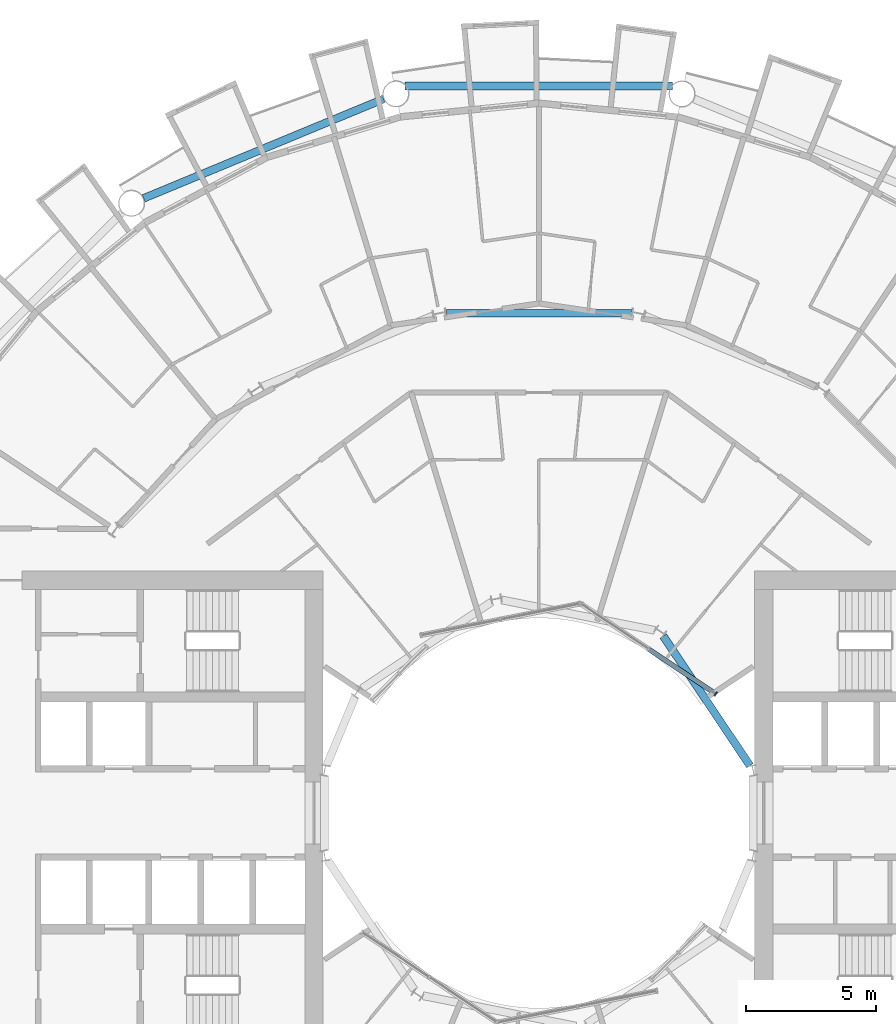
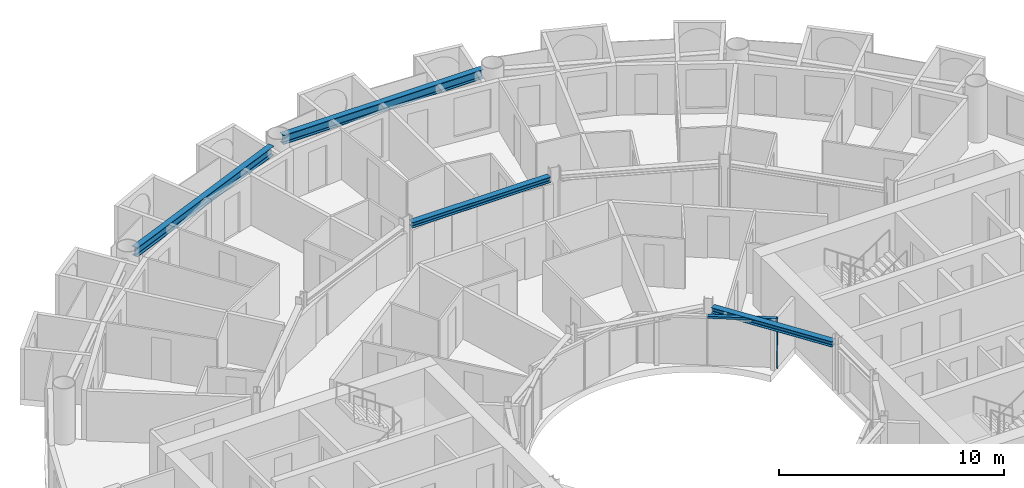
# One storey, part 8 of 26: 4 beams, 2 members, 1 element without a shape of its own.
"""IFC4 building model written with IfcOpenShell, lengths in metres."""

from ifc_helpers import new_model, si_unit, direction, frame, origin, origin_2d, place, context, subcontext, project, spatial, rectangle, i_section, extrude, material, layer, layer_set, material_profile, profile_set, type_object, element, aggregate, save


model = new_model("IFC4")

# Units and contexts
model_context = context("Model", 3, precision=1e-05, world=origin(), true_north=direction((0.0, 1.0)))
body_context = subcontext(model_context, "Body", "Model", "MODEL_VIEW")
ifc_project = project(units=[si_unit("LENGTHUNIT", "METRE"), si_unit("AREAUNIT", "SQUARE_METRE"), si_unit("VOLUMEUNIT", "CUBIC_METRE"), si_unit("PLANEANGLEUNIT", "RADIAN"), si_unit("MASSUNIT", "GRAM", prefix="KILO")], contexts=[model_context])

# Site, building, storey
site_placement = place(None, origin())
site = spatial("IfcSite", under=ifc_project, at=site_placement, CompositionType="ELEMENT")
building_placement = place(site_placement, origin())
building = spatial("IfcBuilding", under=site, at=building_placement, Name="Maasbend Ring Residences", CompositionType="ELEMENT")
storey_placement = place(building_placement, frame((0.0, 0.0, 75.800048828125)))
storey = spatial("IfcBuildingStorey", under=building, at=storey_placement, Name="L21", CompositionType="ELEMENT", Elevation=75.800048828125)

# Curtain wall, members
ifc_material_1 = material(Name="Aluminium and clear glass", Category="aluminium")
ifc_layer = layer(ifc_material_1, 0.179931640625)
ifc_layer_set = layer_set([ifc_layer], Name="CW-W")
curtain_wall_type = type_object("IfcCurtainWallType", Name="CW-W", PredefinedType="NOTDEFINED", material=ifc_layer_set)
curtain_wall_placement = place(storey_placement, origin())
curtain_wall = element("IfcCurtainWall", 1, at=curtain_wall_placement, inside=storey, type_object=curtain_wall_type, Name="Well curtain wall N1", PredefinedType="NOTDEFINED")
ifc_material_2 = material(Name="Aluminium 6063-T6", Category="aluminium")
ifc_material_profile_1 = material_profile(ifc_material_2, rectangle(XDim=0.179931640625, YDim=0.06005859375, at=origin_2d()), Name="AL 180x60")
ifc_profile_set_1 = profile_set([ifc_material_profile_1], Name="Aluminium 6063-T6")
member_type_1 = type_object("IfcMemberType", Name="CWM-W", PredefinedType="MULLION", material=ifc_profile_set_1)
member_1_placement = place(storey_placement, frame((6.805908203125, 4.580810546875, 0.0), z_axis=(0.0, 0.0, 1.0), x_axis=(-0.55557023302, -0.831469612303, 0.0)))
member_1 = element("IfcMember", 2, at=member_1_placement, type_object=member_type_1, Name="Mullion well face", PredefinedType="MULLION", context=body_context, shape_type="SweptSolid", body=[
    extrude(rectangle(XDim=0.179931640625, YDim=0.06005859375, at=origin_2d()), origin(), (0.0, 0.0, 1.0), 2.699951171875),
])
ifc_material_3 = material(Name="Aluminium 6063-T6", Category="aluminium")
ifc_material_profile_2 = material_profile(ifc_material_3, rectangle(XDim=0.179931640625, YDim=0.1201171875, at=origin_2d()), Name="AL 180x120")
ifc_profile_set_2 = profile_set([ifc_material_profile_2], Name="Aluminium 6063-T6")
member_type_2 = type_object("IfcMemberType", Name="CWT-W", PredefinedType="USERDEFINED", material=ifc_profile_set_2)
member_2_placement = place(storey_placement, frame((6.781005859375, 4.59765625, 2.639892578125), z_axis=(-0.831496422459, 0.555530106689, 0.0), x_axis=(-0.555530106689, -0.831496422459, 0.0)))
member_2 = element("IfcMember", 3, at=member_2_placement, type_object=member_type_2, Name="Transom well face", ObjectType="TRANSOM", PredefinedType="USERDEFINED", context=body_context, shape_type="SweptSolid", body=[
    extrude(rectangle(XDim=0.179931640625, YDim=0.1201171875, at=origin_2d()), origin(), (0.0, 0.0, 1.0), 3.053955078125),
])
aggregate(curtain_wall, [member_1, member_2])

# Beams
ifc_material_4 = material(Name="Steel S355J2", Category="steel")
ifc_material_profile_3 = material_profile(ifc_material_4, i_section(OverallWidth=0.300048828125, OverallDepth=0.300048828125, WebThickness=0.010986328125, FlangeThickness=0.01904296875, FilletRadius=0.027099609375, at=origin_2d()), Name="HEB 300")
ifc_profile_set_3 = profile_set([ifc_material_profile_3], Name="Steel S355J2")
beam_type_1 = type_object("IfcBeamType", Name="Corridor ring beam HEB 300", PredefinedType="BEAM", material=ifc_profile_set_3)
beam_1_placement = place(storey_placement, frame((3.556640625, 19.223388671875, 2.550048828125), z_axis=(-1.0, 0.0, 0.0), x_axis=(0.0, -1.0, 0.0)))
element("IfcBeam", 4, at=beam_1_placement, inside=storey, type_object=beam_type_1, Name="Corridor ring beam", PredefinedType="BEAM", context=body_context, shape_type="SweptSolid", body=[
    extrude(i_section(OverallWidth=0.300048828125, OverallDepth=0.300048828125, WebThickness=0.010986328125, FlangeThickness=0.01904296875, FilletRadius=0.027099609375, at=origin_2d()), origin(), (0.0, 0.0, 1.0), 7.11328125),
])
ifc_material_5 = material(Name="Steel S355J2", Category="steel")
ifc_material_profile_4 = material_profile(ifc_material_5, i_section(OverallWidth=0.300048828125, OverallDepth=0.5, WebThickness=0.014404296875, FlangeThickness=0.028076171875, FilletRadius=0.027099609375, at=origin_2d()), Name="HEB 500")
ifc_profile_set_4 = profile_set([ifc_material_profile_4], Name="Steel S355J2")
beam_type_2 = type_object("IfcBeamType", Name="Spandrel ring beam HEB 500", PredefinedType="SPANDREL", material=ifc_profile_set_4)
beam_2_placement = place(storey_placement, frame((5.1435546875, 27.9580078125, 2.449951171875), z_axis=(-1.0, 0.0, 0.0), x_axis=(0.0, -1.0, 0.0)))
element("IfcBeam", 5, at=beam_2_placement, inside=storey, type_object=beam_type_2, Name="Spandrel ring beam", PredefinedType="SPANDREL", context=body_context, shape_type="SweptSolid", body=[
    extrude(i_section(OverallWidth=0.300048828125, OverallDepth=0.5, WebThickness=0.014404296875, FlangeThickness=0.028076171875, FilletRadius=0.027099609375, at=origin_2d()), origin(), (0.0, 0.0, 1.0), 10.287109375),
])
beam_3_placement = place(storey_placement, frame((-5.970703125, 27.463623046875, 2.449951171875), z_axis=(-0.923886337442, -0.382667003395, 0.0), x_axis=(0.382667003395, -0.923886337442, 0.0)))
element("IfcBeam", 6, at=beam_3_placement, inside=storey, type_object=beam_type_2, Name="Spandrel ring beam", PredefinedType="SPANDREL", context=body_context, shape_type="SweptSolid", body=[
    extrude(i_section(OverallWidth=0.300048828125, OverallDepth=0.5, WebThickness=0.014404296875, FlangeThickness=0.028076171875, FilletRadius=0.027099609375, at=origin_2d()), origin(), (0.0, 0.0, 1.0), 9.9873046875),
])
ifc_material_6 = material(Name="Steel S355J2", Category="steel")
ifc_material_profile_5 = material_profile(ifc_material_6, i_section(OverallWidth=0.300048828125, OverallDepth=0.300048828125, WebThickness=0.010986328125, FlangeThickness=0.01904296875, FilletRadius=0.027099609375, at=origin_2d()), Name="HEB 300")
ifc_profile_set_5 = profile_set([ifc_material_profile_5], Name="Steel S355J2")
beam_type_3 = type_object("IfcBeamType", Name="Well edge beam HEB 300", PredefinedType="BEAM", material=ifc_profile_set_5)
beam_4_placement = place(storey_placement, frame((8.118408203125, 1.81884765625, 2.550048828125), z_axis=(-0.555592533493, 0.83145471117, 0.0), x_axis=(-0.83145471117, -0.555592533493, 0.0)))
element("IfcBeam", 7, at=beam_4_placement, inside=storey, type_object=beam_type_3, Name="Well edge beam", PredefinedType="BEAM", context=body_context, shape_type="SweptSolid", body=[
    extrude(i_section(OverallWidth=0.300048828125, OverallDepth=0.300048828125, WebThickness=0.010986328125, FlangeThickness=0.01904296875, FilletRadius=0.027099609375, at=origin_2d()), origin(), (0.0, 0.0, 1.0), 5.995849609375),
])

save(model, "model.ifc")
